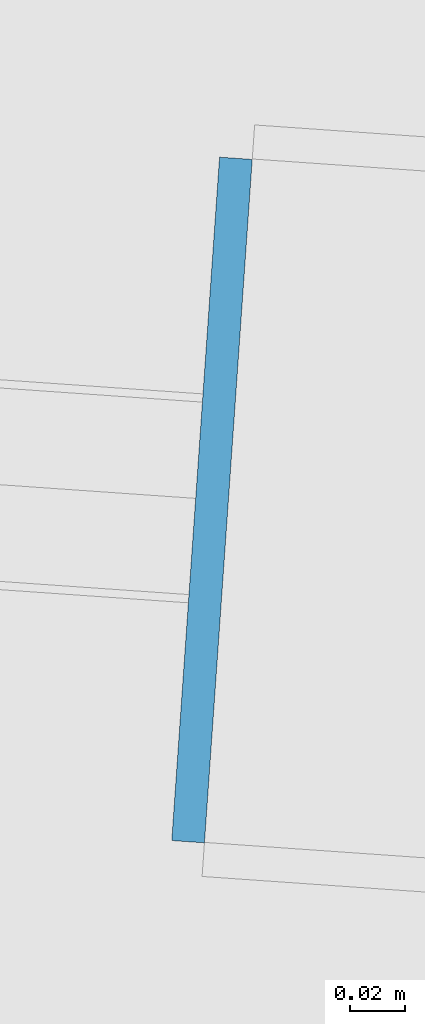
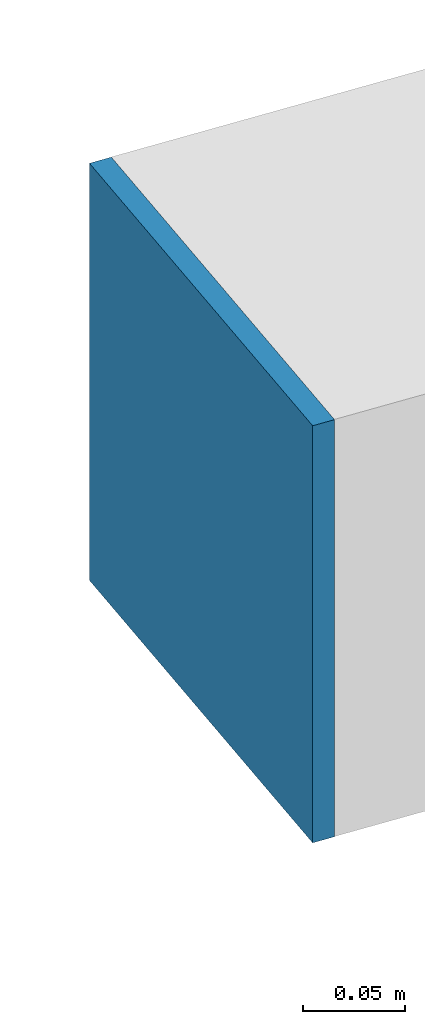
# One storey, part 35 of 47: 1 plate.
"""IFC4 building model written with IfcOpenShell, lengths in metres."""

from ifc_helpers import new_model, si_unit, direction, frame, origin, origin_2d, place, context, subcontext, project, spatial, rectangle, extrude, source, transform, mapped, material, layer, layer_set, type_object, element, save


model = new_model("IFC4")

# Units and contexts
model_context = context("Model", 3, precision=1e-05, world=origin(), true_north=direction((0.0, 1.0)))
body_context = subcontext(model_context, "Body", "Model", "MODEL_VIEW")
ifc_project = project(units=[si_unit("LENGTHUNIT", "METRE"), si_unit("AREAUNIT", "SQUARE_METRE"), si_unit("VOLUMEUNIT", "CUBIC_METRE"), si_unit("PLANEANGLEUNIT", "RADIAN"), si_unit("MASSUNIT", "GRAM", prefix="KILO")], contexts=[model_context])

# Site, building, storey
site_placement = place(None, origin())
site = spatial("IfcSite", under=ifc_project, at=site_placement, CompositionType="ELEMENT")
building_placement = place(site_placement, origin())
building = spatial("IfcBuilding", under=site, at=building_placement, Name="Taldren Reach Tower", CompositionType="ELEMENT")
storey_placement = place(building_placement, frame((0.0, 0.0, 139.300048828125)))
storey = spatial("IfcBuildingStorey", under=building, at=storey_placement, Name="L42", CompositionType="ELEMENT", Elevation=139.300048828125)

# Plate
ifc_material = material(Name="Steel Gr 350 (C350L0)", Category="steel")
ifc_layer = layer(ifc_material, 0.011962890625)
ifc_layer_set = layer_set([ifc_layer], Name="Steel Gr 350 (C350L0)")
plate_type = type_object("IfcPlateType", Name="PL-CAP-250", PredefinedType="SHEET", material=ifc_layer_set)
shared_shape = source(origin(), body_context, "Body", "SweptSolid", [
    extrude(rectangle(XDim=0.011962890625, YDim=0.25, at=origin_2d()), origin(), (0.0, 0.0, 1.0), 0.25),
])
plate_placement = place(storey_placement, frame((8.3095703125, 21.976806640625, 0.094970703125), z_axis=(0.0, 0.0, 1.0), x_axis=(0.99756405026, -0.069756473744, 0.0)))
element("IfcPlate", 1, at=plate_placement, inside=storey, type_object=plate_type, Name="Tie strut end cap plate B3-W2 L42", PredefinedType="SHEET", context=body_context, shape_type="MappedRepresentation", body=[
    mapped(shared_shape, transform((0.0, 0.0, 0.0), scale=1.0)),
])

save(model, "model.ifc")
